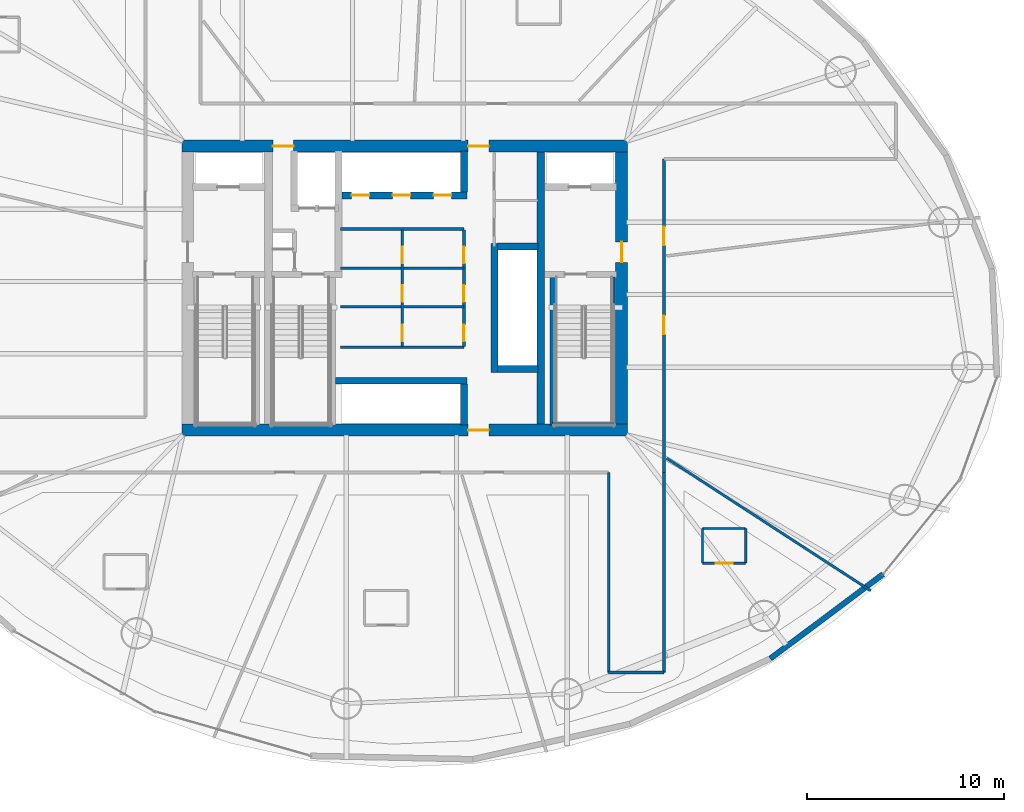
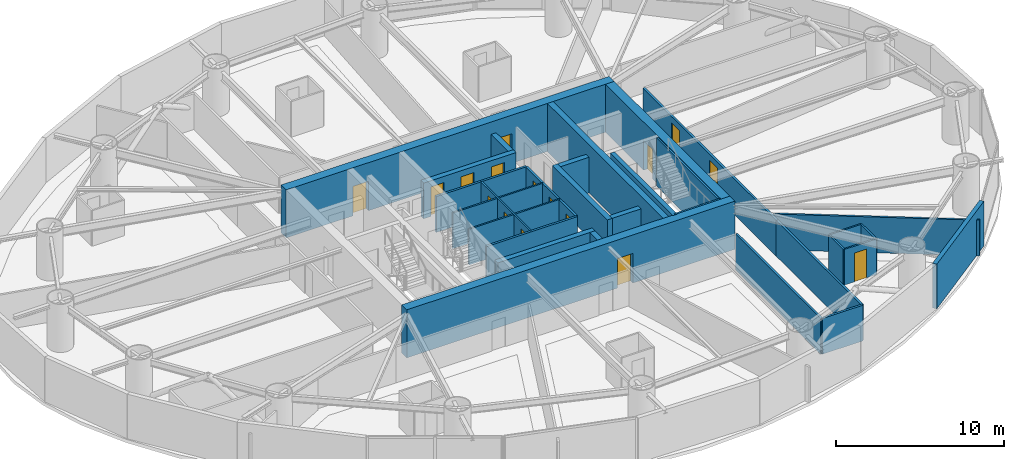
# One storey, part 17 of 23: 30 walls, 16 doors, 16 openings.
"""IFC4 building model written with IfcOpenShell, lengths in metres."""

from ifc_helpers import new_model, si_unit, direction, frame, frame_2d, origin, place, context, subcontext, project, spatial, rectangle, extrude, material, layer, layer_set, type_object, element, fill, save


model = new_model("IFC4")

# Units and contexts
model_context = context("Model", 3, precision=1e-05, world=origin(), true_north=direction((0.0, 1.0)))
body_context = subcontext(model_context, "Body", "Model", "MODEL_VIEW")
ifc_project = project(units=[si_unit("LENGTHUNIT", "METRE"), si_unit("AREAUNIT", "SQUARE_METRE"), si_unit("VOLUMEUNIT", "CUBIC_METRE"), si_unit("PLANEANGLEUNIT", "RADIAN"), si_unit("MASSUNIT", "GRAM", prefix="KILO")], contexts=[model_context])

# Site, building, storey
site_placement = place(None, origin())
site = spatial("IfcSite", under=ifc_project, at=site_placement, CompositionType="ELEMENT")
building_placement = place(site_placement, origin())
building = spatial("IfcBuilding", under=site, at=building_placement, Name="Bramvorn Convention Spire", CompositionType="ELEMENT")
storey_placement = place(building_placement, frame((0.0, 0.0, 69.39990234375)))
storey = spatial("IfcBuildingStorey", under=building, at=storey_placement, Name="L15", CompositionType="ELEMENT", Elevation=69.39990234375)

# Wall, opening, door
ifc_material_1 = material(Name="Concrete C60/70", Category="concrete")
ifc_layer_1 = layer(ifc_material_1, 0.60009765625)
ifc_layer_set_1 = layer_set([ifc_layer_1], Name="Concrete C60/70 - WL-CORE-600")
wall_type_1 = type_object("IfcWallType", Name="WL-CORE-600", PredefinedType="SHEAR", material=ifc_layer_set_1)
wall_1_placement = place(storey_placement, frame((26.699951171875, 18.800048828125, 0.0), z_axis=(0.0, 0.0, 1.0), x_axis=(1.0, 0.0, 0.0)))
wall_1 = element("IfcWall", 1, at=wall_1_placement, inside=storey, type_object=wall_type_1, Name="L15 South RC core shear wall", PredefinedType="SHEAR", context=body_context, shape_type="SweptSolid", body=[
    extrude(rectangle(XDim=22.60009765625, YDim=0.60009765625, at=frame_2d((11.300048828125, 0.0))), origin(), (0.0, 0.0, 1.0), 3.5),
])
opening_1_placement = place(wall_1_placement, frame((14.52001953125, 0.0, 0.0)))
opening_1 = element("IfcOpeningElement", 2, at=opening_1_placement, cuts=wall_1, Name="Opening DL-105", PredefinedType="OPENING", context=body_context, shape_type="SweptSolid", body=[
    extrude(rectangle(XDim=1.050048828125, YDim=2.14990234375, at=frame_2d((0.52490234375, 1.074951171875))), frame((0.0, 0.31005859375, 0.0), z_axis=(0.0, -1.0, 0.0), x_axis=(1.0, 0.0, 0.0)), (0.0, 0.0, 1.0), 0.6201171875),
])
ifc_material_2 = material(Name="Smoke-Sealed Fire Lobby Timber-Core Door", Category="wood")
door_type_1 = type_object("IfcDoorType", Name="DR-LOBBY-1050", OperationType="NOTDEFINED", PredefinedType="DOOR", material=ifc_material_2)
door_1_placement = place(opening_1_placement, origin())
door_1 = element("IfcDoor", 3, at=door_1_placement, inside=storey, type_object=door_type_1, Name="L15 South Lift Lobby fire door", OperationType="SINGLE_SWING_RIGHT", OverallHeight=2.14990234375, OverallWidth=1.050048828125, PredefinedType="DOOR", context=body_context, shape_type="SweptSolid", body=[
    extrude(rectangle(XDim=1.050048828125, YDim=2.14990234375, at=frame_2d((0.52490234375, 1.074951171875))), frame((0.0, 0.02490234375, 0.0), z_axis=(0.0, -1.0, 0.0), x_axis=(1.0, 0.0, 0.0)), (0.0, 0.0, 1.0), 0.050048828125),
])
fill(opening_1, door_1)

# Wall, openings, doors
wall_2_placement = place(storey_placement, frame((26.699951171875, 33.199951171875, 0.0), z_axis=(0.0, 0.0, 1.0), x_axis=(1.0, 0.0, 0.0)))
wall_2 = element("IfcWall", 4, at=wall_2_placement, inside=storey, type_object=wall_type_1, Name="L15 North RC core shear wall", PredefinedType="SHEAR", context=body_context, shape_type="SweptSolid", body=[
    extrude(rectangle(XDim=22.60009765625, YDim=0.60009765625, at=frame_2d((11.300048828125, 0.0))), origin(), (0.0, 0.0, 1.0), 3.5),
])
opening_2_placement = place(wall_2_placement, frame((4.6201171875, 0.0, 0.0)))
opening_2 = element("IfcOpeningElement", 5, at=opening_2_placement, cuts=wall_2, Name="Opening DL-105", PredefinedType="OPENING", context=body_context, shape_type="SweptSolid", body=[
    extrude(rectangle(XDim=1.050048828125, YDim=2.14990234375, at=frame_2d((0.52490234375, 1.074951171875))), frame((0.0, 0.31005859375, 0.0), z_axis=(0.0, -1.0, 0.0), x_axis=(1.0, 0.0, 0.0)), (0.0, 0.0, 1.0), 0.6201171875),
])
opening_3_placement = place(wall_2_placement, frame((14.52001953125, 0.0, 0.0)))
opening_3 = element("IfcOpeningElement", 6, at=opening_3_placement, cuts=wall_2, Name="Opening DL-105", PredefinedType="OPENING", context=body_context, shape_type="SweptSolid", body=[
    extrude(rectangle(XDim=1.050048828125, YDim=2.14990234375, at=frame_2d((0.52490234375, 1.074951171875))), frame((0.0, 0.31005859375, 0.0), z_axis=(0.0, -1.0, 0.0), x_axis=(1.0, 0.0, 0.0)), (0.0, 0.0, 1.0), 0.6201171875),
])
door_2_placement = place(opening_2_placement, origin())
door_2 = element("IfcDoor", 7, at=door_2_placement, inside=storey, type_object=door_type_1, Name="L15 Service & Stair ST3 Lobby north corridor door", OperationType="SINGLE_SWING_LEFT", OverallHeight=2.14990234375, OverallWidth=1.050048828125, PredefinedType="DOOR", context=body_context, shape_type="SweptSolid", body=[
    extrude(rectangle(XDim=1.050048828125, YDim=2.14990234375, at=frame_2d((0.52490234375, 1.074951171875))), frame((0.0, 0.02490234375, 0.0), z_axis=(0.0, -1.0, 0.0), x_axis=(1.0, 0.0, 0.0)), (0.0, 0.0, 1.0), 0.050048828125),
])
fill(opening_2, door_2)
door_3_placement = place(opening_3_placement, origin())
door_3 = element("IfcDoor", 8, at=door_3_placement, inside=storey, type_object=door_type_1, Name="L15 North Lift Lobby fire door", OperationType="SINGLE_SWING_LEFT", OverallHeight=2.14990234375, OverallWidth=1.050048828125, PredefinedType="DOOR", context=body_context, shape_type="SweptSolid", body=[
    extrude(rectangle(XDim=1.050048828125, YDim=2.14990234375, at=frame_2d((0.52490234375, 1.074951171875))), frame((0.0, 0.02490234375, 0.0), z_axis=(0.0, -1.0, 0.0), x_axis=(1.0, 0.0, 0.0)), (0.0, 0.0, 1.0), 0.050048828125),
])
fill(opening_3, door_3)

# Wall, opening, door
wall_3_placement = place(storey_placement, frame((49.0, 19.10009765625, 0.0), z_axis=(0.0, 0.0, 1.0), x_axis=(0.0, 1.0, 0.0)))
wall_3 = element("IfcWall", 9, at=wall_3_placement, inside=storey, type_object=wall_type_1, Name="L15 East RC core shear wall", PredefinedType="SHEAR", context=body_context, shape_type="SweptSolid", body=[
    extrude(rectangle(XDim=13.7998046875, YDim=0.60009765625, at=frame_2d((6.89990234375, 0.0))), origin(), (0.0, 0.0, 1.0), 3.5),
])
opening_4_placement = place(wall_3_placement, frame((8.199951171875, 0.0, 0.0)))
opening_4 = element("IfcOpeningElement", 10, at=opening_4_placement, cuts=wall_3, Name="Opening DL-105", PredefinedType="OPENING", context=body_context, shape_type="SweptSolid", body=[
    extrude(rectangle(XDim=1.050048828125, YDim=2.14990234375, at=frame_2d((0.52490234375, 1.074951171875))), frame((0.0, 0.31005859375, 0.0), z_axis=(0.0, -1.0, 0.0), x_axis=(1.0, 0.0, 0.0)), (0.0, 0.0, 1.0), 0.6201171875),
])
door_4_placement = place(opening_4_placement, origin())
door_4 = element("IfcDoor", 11, at=door_4_placement, inside=storey, type_object=door_type_1, Name="L15 East Firefighting Lobby corridor door", OperationType="SINGLE_SWING_LEFT", OverallHeight=2.14990234375, OverallWidth=1.050048828125, PredefinedType="DOOR", context=body_context, shape_type="SweptSolid", body=[
    extrude(rectangle(XDim=1.050048828125, YDim=2.14990234375, at=frame_2d((0.52490234375, 1.074951171875))), frame((0.0, 0.02490234375, 0.0), z_axis=(0.0, -1.0, 0.0), x_axis=(1.0, 0.0, 0.0)), (0.0, 0.0, 1.0), 0.050048828125),
])
fill(opening_4, door_4)

# Walls
ifc_material_3 = material(Name="Concrete C50/60", Category="concrete")
ifc_layer_2 = layer(ifc_material_3, 0.35009765625)
ifc_layer_set_2 = layer_set([ifc_layer_2], Name="Concrete C50/60 - WL-CORE-INT-350")
wall_type_2 = type_object("IfcWallType", Name="WL-CORE-INT-350", PredefinedType="SHEAR", material=ifc_layer_set_2)
wall_4_placement = place(storey_placement, frame((42.550048828125, 21.72998046875, 0.0), z_axis=(0.0, 0.0, 1.0), x_axis=(0.0, 1.0, 0.0)))
element("IfcWall", 12, at=wall_4_placement, inside=storey, type_object=wall_type_2, Name="L15 High-rise lift bank west wall", PredefinedType="SHEAR", context=body_context, shape_type="SweptSolid", body=[
    extrude(rectangle(XDim=6.5400390625, YDim=0.35009765625, at=frame_2d((3.27001953125, 0.0))), origin(), (0.0, 0.0, 1.0), 2.60009765625),
])
for number, where, z_axis, x_axis, name in (
    (13, (42.719970703125, 21.89990234375, 0.0), (0.0, 0.0, 1.0), (1.0, 0.0, 0.0), "L15 High-rise lift bank south wall"),
    (14, (42.719970703125, 28.10009765625, 0.0), (0.0, 0.0, 1.0), (1.0, 0.0, 0.0), "L15 High-rise lift bank north wall"),
):
    element("IfcWall", number, at=place(storey_placement, frame(where, z_axis=z_axis, x_axis=x_axis)), inside=storey, type_object=wall_type_2, Name=name, PredefinedType="SHEAR", context=body_context, shape_type="SweptSolid", body=[
        extrude(rectangle(XDim=2.030029296875, YDim=0.35009765625, at=frame_2d((1.01513671875, 0.0))), origin(), (0.0, 0.0, 1.0), 2.60009765625),
    ])

# Wall, openings, doors
wall_5_placement = place(storey_placement, frame((34.81005859375, 30.699951171875, 0.0), z_axis=(0.0, 0.0, 1.0), x_axis=(1.0, 0.0, 0.0)))
wall_5 = element("IfcWall", 15, at=wall_5_placement, inside=storey, type_object=wall_type_2, Name="L15 Low-rise bank south landing wall", PredefinedType="SHEAR", context=body_context, shape_type="SweptSolid", body=[
    extrude(rectangle(XDim=6.35986328125, YDim=0.35009765625, at=frame_2d((3.179931640625, 0.0))), origin(), (0.0, 0.0, 1.0), 2.60009765625),
])
opening_5_placement = place(wall_5_placement, frame((0.5, 0.0, 0.0)))
opening_5 = element("IfcOpeningElement", 16, at=opening_5_placement, cuts=wall_5, Name="Opening LD-090", PredefinedType="OPENING", context=body_context, shape_type="SweptSolid", body=[
    extrude(rectangle(XDim=0.89990234375, YDim=2.14990234375, at=frame_2d((0.449951171875, 1.074951171875))), frame((0.0, 0.18505859375, 0.0), z_axis=(0.0, -1.0, 0.0), x_axis=(1.0, 0.0, 0.0)), (0.0, 0.0, 1.0), 0.3701171875),
])
opening_6_placement = place(wall_5_placement, frame((2.580078125, 0.0, 0.0)))
opening_6 = element("IfcOpeningElement", 17, at=opening_6_placement, cuts=wall_5, Name="Opening LD-090", PredefinedType="OPENING", context=body_context, shape_type="SweptSolid", body=[
    extrude(rectangle(XDim=0.89990234375, YDim=2.14990234375, at=frame_2d((0.449951171875, 1.074951171875))), frame((0.0, 0.18505859375, 0.0), z_axis=(0.0, -1.0, 0.0), x_axis=(1.0, 0.0, 0.0)), (0.0, 0.0, 1.0), 0.3701171875),
])
opening_7_placement = place(wall_5_placement, frame((4.659912109375, 0.0, 0.0)))
opening_7 = element("IfcOpeningElement", 18, at=opening_7_placement, cuts=wall_5, Name="Opening LD-090", PredefinedType="OPENING", context=body_context, shape_type="SweptSolid", body=[
    extrude(rectangle(XDim=0.89990234375, YDim=2.14990234375, at=frame_2d((0.449951171875, 1.074951171875))), frame((0.0, 0.18505859375, 0.0), z_axis=(0.0, -1.0, 0.0), x_axis=(1.0, 0.0, 0.0)), (0.0, 0.0, 1.0), 0.3701171875),
])
ifc_material_4 = material(Name="Bi-Parting Fire-Rated Lift Landing Door", Category="steel")
door_type_2 = type_object("IfcDoorType", Name="DR-LIFT-LD-900", OperationType="NOTDEFINED", PredefinedType="DOOR", material=ifc_material_4)
door_5_placement = place(opening_5_placement, origin())
door_5 = element("IfcDoor", 19, at=door_5_placement, inside=storey, type_object=door_type_2, Name="L15 Lift PL1 Sliding Landing Door", OperationType="SLIDING_TO_LEFT", OverallHeight=2.14990234375, OverallWidth=0.89990234375, PredefinedType="DOOR", context=body_context, shape_type="SweptSolid", body=[
    extrude(rectangle(XDim=0.89990234375, YDim=2.14990234375, at=frame_2d((0.449951171875, 1.074951171875))), frame((0.0, 0.02490234375, 0.0), z_axis=(0.0, -1.0, 0.0), x_axis=(1.0, 0.0, 0.0)), (0.0, 0.0, 1.0), 0.050048828125),
])
fill(opening_5, door_5)
door_6_placement = place(opening_6_placement, origin())
door_6 = element("IfcDoor", 20, at=door_6_placement, inside=storey, type_object=door_type_2, Name="L15 Lift PL2 Sliding Landing Door", OperationType="SLIDING_TO_LEFT", OverallHeight=2.14990234375, OverallWidth=0.89990234375, PredefinedType="DOOR", context=body_context, shape_type="SweptSolid", body=[
    extrude(rectangle(XDim=0.89990234375, YDim=2.14990234375, at=frame_2d((0.449951171875, 1.074951171875))), frame((0.0, 0.02490234375, 0.0), z_axis=(0.0, -1.0, 0.0), x_axis=(1.0, 0.0, 0.0)), (0.0, 0.0, 1.0), 0.050048828125),
])
fill(opening_6, door_6)
door_7_placement = place(opening_7_placement, origin())
door_7 = element("IfcDoor", 21, at=door_7_placement, inside=storey, type_object=door_type_2, Name="L15 Lift PL3 Sliding Landing Door", OperationType="SLIDING_TO_LEFT", OverallHeight=2.14990234375, OverallWidth=0.89990234375, PredefinedType="DOOR", context=body_context, shape_type="SweptSolid", body=[
    extrude(rectangle(XDim=0.89990234375, YDim=2.14990234375, at=frame_2d((0.449951171875, 1.074951171875))), frame((0.0, 0.02490234375, 0.0), z_axis=(0.0, -1.0, 0.0), x_axis=(1.0, 0.0, 0.0)), (0.0, 0.0, 1.0), 0.050048828125),
])
fill(opening_7, door_7)

# Walls
wall_6_placement = place(storey_placement, frame((41.0, 30.8701171875, 0.0), z_axis=(0.0, 0.0, 1.0), x_axis=(0.0, 1.0, 0.0)))
element("IfcWall", 22, at=wall_6_placement, inside=storey, type_object=wall_type_2, Name="L15 Low-rise bank east cheek wall", PredefinedType="SHEAR", context=body_context, shape_type="SweptSolid", body=[
    extrude(rectangle(XDim=2.079833984375, YDim=0.35009765625, at=frame_2d((1.0400390625, 0.0))), origin(), (0.0, 0.0, 1.0), 2.60009765625),
])
wall_7_placement = place(storey_placement, frame((34.489990234375, 21.300048828125, 0.0), z_axis=(0.0, 0.0, 1.0), x_axis=(1.0, 0.0, 0.0)))
element("IfcWall", 23, at=wall_7_placement, inside=storey, type_object=wall_type_2, Name="L15 Mid-rise bank north landing wall", PredefinedType="SHEAR", context=body_context, shape_type="SweptSolid", body=[
    extrude(rectangle(XDim=6.679931640625, YDim=0.35009765625, at=frame_2d((3.33984375, 0.0))), origin(), (0.0, 0.0, 1.0), 2.60009765625),
])
wall_8_placement = place(storey_placement, frame((41.0, 19.050048828125, 0.0), z_axis=(0.0, 0.0, 1.0), x_axis=(0.0, 1.0, 0.0)))
element("IfcWall", 24, at=wall_8_placement, inside=storey, type_object=wall_type_2, Name="L15 Mid-rise bank east cheek wall", PredefinedType="SHEAR", context=body_context, shape_type="SweptSolid", body=[
    extrude(rectangle(XDim=2.079833984375, YDim=0.35009765625, at=frame_2d((1.0400390625, 0.0))), origin(), (0.0, 0.0, 1.0), 2.60009765625),
])
ifc_layer_3 = layer(ifc_material_1, 0.39990234375)
ifc_layer_set_3 = layer_set([ifc_layer_3], Name="Concrete C60/70 - WL-CORE-INT-400")
wall_type_3 = type_object("IfcWallType", Name="WL-CORE-INT-400", PredefinedType="SHEAR", material=ifc_layer_set_3)
wall_9_placement = place(storey_placement, frame((44.89990234375, 19.10009765625, 0.0), z_axis=(0.0, 0.0, 1.0), x_axis=(0.0, 1.0, 0.0)))
element("IfcWall", 25, at=wall_9_placement, inside=storey, type_object=wall_type_3, Name="L15 East internal core shear web", PredefinedType="SHEAR", context=body_context, shape_type="SweptSolid", body=[
    extrude(rectangle(XDim=13.7998046875, YDim=0.39990234375, at=frame_2d((6.89990234375, 0.0))), origin(), (0.0, 0.0, 1.0), 3.5),
])
ifc_material_5 = material(Name="Precast Concrete C40/50 with Bronze Terracotta Rainscreen", Category="masonry")
ifc_layer_4 = layer(ifc_material_5, 0.300048828125)
ifc_layer_set_4 = layer_set([ifc_layer_4], Name="Precast Concrete C40/50 with Bronze Terracotta Rainscreen - WL-EXT-BRONZE-300")
wall_type_4 = type_object("IfcWallType", Name="WL-EXT-BRONZE-300", PredefinedType="SOLIDWALL", material=ifc_layer_set_4)
wall_10_placement = place(storey_placement, frame((62.261474609375, 11.4892578125, 0.0), z_axis=(0.0, 0.0, 1.0), x_axis=(-0.800594336171, -0.599206733015, 0.0)))
element("IfcWall", 26, at=wall_10_placement, inside=storey, type_object=wall_type_4, Name="L15 expressed bronze Gothic lancet pier wall 22", PredefinedType="SOLIDWALL", context=body_context, shape_type="SweptSolid", body=[
    extrude(rectangle(XDim=7.142822265625, YDim=0.280029296875, at=frame_2d((3.5712890625, 0.0))), origin(), (0.0, 0.0, 1.0), 3.25),
])

# Wall, openings, doors
ifc_material_6 = material(Name="Lightweight En-Suite & Wet-Wall Partition", Category="gypsum")
ifc_layer_5 = layer(ifc_material_6, 0.110107421875)
ifc_layer_set_5 = layer_set([ifc_layer_5], Name="Lightweight En-Suite & Wet-Wall Partition - WL-PART-110")
wall_type_5 = type_object("IfcWallType", Name="WL-PART-110", PredefinedType="PARTITIONING", material=ifc_layer_set_5)
wall_11_placement = place(storey_placement, frame((37.8798828125, 23.050048828125, 0.0), z_axis=(0.0, 0.0, 1.0), x_axis=(0.0, 1.0, 0.0)))
wall_11 = element("IfcWall", 27, at=wall_11_placement, inside=storey, type_object=wall_type_5, Name="L15 KB center wall", PredefinedType="PARTITIONING", context=body_context, shape_type="SweptSolid", body=[
    extrude(rectangle(XDim=5.89990234375, YDim=0.110107421875, at=frame_2d((2.949951171875, 0.0))), origin(), (0.0, 0.0, 1.0), 2.60009765625),
])
opening_8_placement = place(wall_11_placement, frame((0.25, 0.0, 0.0)))
opening_8 = element("IfcOpeningElement", 28, at=opening_8_placement, cuts=wall_11, Name="Opening DC-085", PredefinedType="OPENING", context=body_context, shape_type="SweptSolid", body=[
    extrude(rectangle(XDim=0.85009765625, YDim=2.10009765625, at=frame_2d((0.425048828125, 1.050048828125))), frame((0.0, 0.06494140625, 0.0), z_axis=(0.0, -1.0, 0.0), x_axis=(1.0, 0.0, 0.0)), (0.0, 0.0, 1.0), 0.130126953125),
])
opening_9_placement = place(wall_11_placement, frame((2.256103515625, 0.0, 0.0)))
opening_9 = element("IfcOpeningElement", 29, at=opening_9_placement, cuts=wall_11, Name="Opening DC-085", PredefinedType="OPENING", context=body_context, shape_type="SweptSolid", body=[
    extrude(rectangle(XDim=0.85009765625, YDim=2.10009765625, at=frame_2d((0.425048828125, 1.050048828125))), frame((0.0, 0.06494140625, 0.0), z_axis=(0.0, -1.0, 0.0), x_axis=(1.0, 0.0, 0.0)), (0.0, 0.0, 1.0), 0.130126953125),
])
opening_10_placement = place(wall_11_placement, frame((4.202880859375, 0.0, 0.0)))
opening_10 = element("IfcOpeningElement", 30, at=opening_10_placement, cuts=wall_11, Name="Opening DC-085", PredefinedType="OPENING", context=body_context, shape_type="SweptSolid", body=[
    extrude(rectangle(XDim=0.85009765625, YDim=2.10009765625, at=frame_2d((0.425048828125, 1.050048828125))), frame((0.0, 0.06494140625, 0.0), z_axis=(0.0, -1.0, 0.0), x_axis=(1.0, 0.0, 0.0)), (0.0, 0.0, 1.0), 0.130126953125),
])
ifc_material_7 = material(Name="Fire-Rated Core Washroom & IDF Door", Category="wood")
door_type_3 = type_object("IfcDoorType", Name="DR-CORE-850", OperationType="NOTDEFINED", PredefinedType="DOOR", material=ifc_material_7)
door_8_placement = place(opening_8_placement, origin())
door_8 = element("IfcDoor", 31, at=door_8_placement, inside=storey, type_object=door_type_3, Name="L15 Core Linen Store door", OperationType="SINGLE_SWING_LEFT", OverallHeight=2.10009765625, OverallWidth=0.85009765625, PredefinedType="DOOR", context=body_context, shape_type="SweptSolid", body=[
    extrude(rectangle(XDim=0.85009765625, YDim=2.10009765625, at=frame_2d((0.425048828125, 1.050048828125))), frame((0.0, 0.02490234375, 0.0), z_axis=(0.0, -1.0, 0.0), x_axis=(1.0, 0.0, 0.0)), (0.0, 0.0, 1.0), 0.050048828125),
])
fill(opening_8, door_8)
door_9_placement = place(opening_9_placement, origin())
door_9 = element("IfcDoor", 32, at=door_9_placement, inside=storey, type_object=door_type_3, Name="L15 Core Metering Closet door", OperationType="SINGLE_SWING_LEFT", OverallHeight=2.10009765625, OverallWidth=0.85009765625, PredefinedType="DOOR", context=body_context, shape_type="SweptSolid", body=[
    extrude(rectangle(XDim=0.85009765625, YDim=2.10009765625, at=frame_2d((0.425048828125, 1.050048828125))), frame((0.0, 0.02490234375, 0.0), z_axis=(0.0, -1.0, 0.0), x_axis=(1.0, 0.0, 0.0)), (0.0, 0.0, 1.0), 0.050048828125),
])
fill(opening_9, door_9)
door_10_placement = place(opening_10_placement, origin())
door_10 = element("IfcDoor", 33, at=door_10_placement, inside=storey, type_object=door_type_3, Name="L15 Core Janitor Supply door", OperationType="SINGLE_SWING_LEFT", OverallHeight=2.10009765625, OverallWidth=0.85009765625, PredefinedType="DOOR", context=body_context, shape_type="SweptSolid", body=[
    extrude(rectangle(XDim=0.85009765625, YDim=2.10009765625, at=frame_2d((0.425048828125, 1.050048828125))), frame((0.0, 0.02490234375, 0.0), z_axis=(0.0, -1.0, 0.0), x_axis=(1.0, 0.0, 0.0)), (0.0, 0.0, 1.0), 0.050048828125),
])
fill(opening_10, door_10)

# Walls
for number, where, z_axis, x_axis, name in (
    (34, (34.75, 25.055908203125, 0.0), (0.0, 0.0, 1.0), (1.0, 0.0, 0.0), "L15 KB divider 1"),
    (35, (34.75, 27.0029296875, 0.0), (0.0, 0.0, 1.0), (1.0, 0.0, 0.0), "L15 KB divider 2"),
):
    element("IfcWall", number, at=place(storey_placement, frame(where, z_axis=z_axis, x_axis=x_axis)), inside=storey, type_object=wall_type_5, Name=name, PredefinedType="PARTITIONING", context=body_context, shape_type="SweptSolid", body=[
        extrude(rectangle(XDim=6.25, YDim=0.110107421875, at=frame_2d((3.125, 0.0))), origin(), (0.0, 0.0, 1.0), 2.60009765625),
    ])

# Wall, opening, door
wall_12_placement = place(storey_placement, frame((53.0966796875, 12.04931640625, 0.0), z_axis=(0.0, 0.0, 1.0), x_axis=(1.0, 0.0, 0.0)))
wall_12 = element("IfcWall", 36, at=wall_12_placement, inside=storey, type_object=wall_type_5, Name="Hotel Suite 1508 en-suite south wall", PredefinedType="PARTITIONING", context=body_context, shape_type="SweptSolid", body=[
    extrude(rectangle(XDim=2.2001953125, YDim=0.110107421875, at=frame_2d((1.10009765625, 0.0))), origin(), (0.0, 0.0, 1.0), 2.60009765625),
])
opening_11_placement = place(wall_12_placement, frame((0.679931640625, 0.0, 0.0)))
opening_11 = element("IfcOpeningElement", 37, at=opening_11_placement, cuts=wall_12, Name="Opening DI-085", PredefinedType="OPENING", context=body_context, shape_type="SweptSolid", body=[
    extrude(rectangle(XDim=0.85009765625, YDim=2.10009765625, at=frame_2d((0.425048828125, 1.050048828125))), frame((0.0, 0.06494140625, 0.0), z_axis=(0.0, -1.0, 0.0), x_axis=(1.0, 0.0, 0.0)), (0.0, 0.0, 1.0), 0.130126953125),
])
ifc_material_8 = material(Name="En-Suite & Restroom Privacy Door", Category="wood")
door_type_4 = type_object("IfcDoorType", Name="DR-INT-850", OperationType="NOTDEFINED", PredefinedType="DOOR", material=ifc_material_8)
door_11_placement = place(opening_11_placement, origin())
door_11 = element("IfcDoor", 38, at=door_11_placement, inside=storey, type_object=door_type_4, Name="Hotel Suite 1508 En-Suite Bathroom door", OperationType="SINGLE_SWING_LEFT", OverallHeight=2.10009765625, OverallWidth=0.85009765625, PredefinedType="DOOR", context=body_context, shape_type="SweptSolid", body=[
    extrude(rectangle(XDim=0.85009765625, YDim=2.10009765625, at=frame_2d((0.425048828125, 1.050048828125))), frame((0.0, 0.02490234375, 0.0), z_axis=(0.0, -1.0, 0.0), x_axis=(1.0, 0.0, 0.0)), (0.0, 0.0, 1.0), 0.050048828125),
])
fill(opening_11, door_11)

# Walls
wall_13_placement = place(storey_placement, frame((53.0966796875, 13.809326171875, 0.0), z_axis=(0.0, 0.0, 1.0), x_axis=(1.0, 0.0, 0.0)))
element("IfcWall", 39, at=wall_13_placement, inside=storey, type_object=wall_type_5, Name="Hotel Suite 1508 en-suite north wall", PredefinedType="PARTITIONING", context=body_context, shape_type="SweptSolid", body=[
    extrude(rectangle(XDim=2.2001953125, YDim=0.110107421875, at=frame_2d((1.10009765625, 0.0))), origin(), (0.0, 0.0, 1.0), 2.60009765625),
])
for number, where, z_axis, x_axis, name in (
    (40, (53.0966796875, 12.04931640625, 0.0), (0.0, 0.0, 1.0), (0.0, 1.0, 0.0), "Hotel Suite 1508 en-suite west wall"),
    (41, (55.296875, 12.04931640625, 0.0), (0.0, 0.0, 1.0), (0.0, 1.0, 0.0), "Hotel Suite 1508 en-suite east wall"),
):
    element("IfcWall", number, at=place(storey_placement, frame(where, z_axis=z_axis, x_axis=x_axis)), inside=storey, type_object=wall_type_5, Name=name, PredefinedType="PARTITIONING", context=body_context, shape_type="SweptSolid", body=[
        extrude(rectangle(XDim=1.760009765625, YDim=0.110107421875, at=frame_2d((0.8798828125, 0.0))), origin(), (0.0, 0.0, 1.0), 2.60009765625),
    ])
ifc_material_9 = material(Name="Metal-Stud Demountable Office Partition", Category="gypsum")
ifc_layer_6 = layer(ifc_material_9, 0.1298828125)
ifc_layer_set_6 = layer_set([ifc_layer_6], Name="Metal-Stud Demountable Office Partition - WL-PART-130")
wall_type_6 = type_object("IfcWallType", Name="WL-PART-130", PredefinedType="PARTITIONING", material=ifc_layer_set_6)
wall_14_placement = place(storey_placement, frame((51.2900390625, 17.369384765625, 0.0), z_axis=(0.0, 0.0, 1.0), x_axis=(0.838662335308, -0.544651711955, 0.0)))
element("IfcWall", 42, at=wall_14_placement, inside=storey, type_object=wall_type_6, Name="L15 Guestroom demising wall 9", PredefinedType="PARTITIONING", context=body_context, shape_type="SweptSolid", body=[
    extrude(rectangle(XDim=12.33935546875, YDim=0.1298828125, at=frame_2d((6.169677734375, 0.0))), origin(), (0.0, 0.0, 1.0), 2.60009765625),
])
ifc_material_10 = material(Name="Acoustic Metal-Stud Tenant/Corridor Partition", Category="gypsum")
ifc_layer_7 = layer(ifc_material_10, 0.14990234375)
ifc_layer_set_7 = layer_set([ifc_layer_7], Name="Acoustic Metal-Stud Tenant/Corridor Partition - WL-PART-150")
wall_type_7 = type_object("IfcWallType", Name="WL-PART-150", PredefinedType="PARTITIONING", material=ifc_layer_set_7)
for number, where, z_axis, x_axis, name in (
    (43, (34.75, 29.0, 0.0), (0.0, 0.0, 1.0), (1.0, 0.0, 0.0), "L15 Low-rise lift vestibule south wall"),
    (44, (34.75, 23.0, 0.0), (0.0, 0.0, 1.0), (1.0, 0.0, 0.0), "L15 Mid-rise lift vestibule north wall"),
):
    element("IfcWall", number, at=place(storey_placement, frame(where, z_axis=z_axis, x_axis=x_axis)), inside=storey, type_object=wall_type_7, Name=name, PredefinedType="PARTITIONING", context=body_context, shape_type="SweptSolid", body=[
        extrude(rectangle(XDim=6.25, YDim=0.14990234375, at=frame_2d((3.125, 0.0))), origin(), (0.0, 0.0, 1.0), 2.60009765625),
    ])

# Wall, openings, doors
wall_15_placement = place(storey_placement, frame((41.0, 23.050048828125, 0.0), z_axis=(0.0, 0.0, 1.0), x_axis=(0.0, 1.0, 0.0)))
wall_15 = element("IfcWall", 45, at=wall_15_placement, inside=storey, type_object=wall_type_7, Name="L15 KB east core wall", PredefinedType="PARTITIONING", context=body_context, shape_type="SweptSolid", body=[
    extrude(rectangle(XDim=5.89990234375, YDim=0.14990234375, at=frame_2d((2.949951171875, 0.0))), origin(), (0.0, 0.0, 1.0), 2.60009765625),
])
opening_12_placement = place(wall_15_placement, frame((0.25, 0.0, 0.0)))
opening_12 = element("IfcOpeningElement", 46, at=opening_12_placement, cuts=wall_15, Name="Opening DC-085", PredefinedType="OPENING", context=body_context, shape_type="SweptSolid", body=[
    extrude(rectangle(XDim=0.85009765625, YDim=2.10009765625, at=frame_2d((0.425048828125, 1.050048828125))), frame((0.0, 0.0849609375, 0.0), z_axis=(0.0, -1.0, 0.0), x_axis=(1.0, 0.0, 0.0)), (0.0, 0.0, 1.0), 0.169921875),
])
opening_13_placement = place(wall_15_placement, frame((2.256103515625, 0.0, 0.0)))
opening_13 = element("IfcOpeningElement", 47, at=opening_13_placement, cuts=wall_15, Name="Opening DC-085", PredefinedType="OPENING", context=body_context, shape_type="SweptSolid", body=[
    extrude(rectangle(XDim=0.85009765625, YDim=2.10009765625, at=frame_2d((0.425048828125, 1.050048828125))), frame((0.0, 0.0849609375, 0.0), z_axis=(0.0, -1.0, 0.0), x_axis=(1.0, 0.0, 0.0)), (0.0, 0.0, 1.0), 0.169921875),
])
opening_14_placement = place(wall_15_placement, frame((4.202880859375, 0.0, 0.0)))
opening_14 = element("IfcOpeningElement", 48, at=opening_14_placement, cuts=wall_15, Name="Opening DC-085", PredefinedType="OPENING", context=body_context, shape_type="SweptSolid", body=[
    extrude(rectangle(XDim=0.85009765625, YDim=2.10009765625, at=frame_2d((0.425048828125, 1.050048828125))), frame((0.0, 0.0849609375, 0.0), z_axis=(0.0, -1.0, 0.0), x_axis=(1.0, 0.0, 0.0)), (0.0, 0.0, 1.0), 0.169921875),
])
door_12_placement = place(opening_12_placement, origin())
door_12 = element("IfcDoor", 49, at=door_12_placement, inside=storey, type_object=door_type_3, Name="L15 Accessible Core Restroom door", OperationType="SINGLE_SWING_LEFT", OverallHeight=2.10009765625, OverallWidth=0.85009765625, PredefinedType="DOOR", context=body_context, shape_type="SweptSolid", body=[
    extrude(rectangle(XDim=0.85009765625, YDim=2.10009765625, at=frame_2d((0.425048828125, 1.050048828125))), frame((0.0, 0.02490234375, 0.0), z_axis=(0.0, -1.0, 0.0), x_axis=(1.0, 0.0, 0.0)), (0.0, 0.0, 1.0), 0.050048828125),
])
fill(opening_12, door_12)
door_13_placement = place(opening_13_placement, origin())
door_13 = element("IfcDoor", 50, at=door_13_placement, inside=storey, type_object=door_type_3, Name="L15 Floor Housekeeping & Linen Store door", OperationType="SINGLE_SWING_LEFT", OverallHeight=2.10009765625, OverallWidth=0.85009765625, PredefinedType="DOOR", context=body_context, shape_type="SweptSolid", body=[
    extrude(rectangle(XDim=0.85009765625, YDim=2.10009765625, at=frame_2d((0.425048828125, 1.050048828125))), frame((0.0, 0.02490234375, 0.0), z_axis=(0.0, -1.0, 0.0), x_axis=(1.0, 0.0, 0.0)), (0.0, 0.0, 1.0), 0.050048828125),
])
fill(opening_13, door_13)
door_14_placement = place(opening_14_placement, origin())
door_14 = element("IfcDoor", 51, at=door_14_placement, inside=storey, type_object=door_type_3, Name="L15 Gender-Neutral Core WC door", OperationType="SINGLE_SWING_LEFT", OverallHeight=2.10009765625, OverallWidth=0.85009765625, PredefinedType="DOOR", context=body_context, shape_type="SweptSolid", body=[
    extrude(rectangle(XDim=0.85009765625, YDim=2.10009765625, at=frame_2d((0.425048828125, 1.050048828125))), frame((0.0, 0.02490234375, 0.0), z_axis=(0.0, -1.0, 0.0), x_axis=(1.0, 0.0, 0.0)), (0.0, 0.0, 1.0), 0.050048828125),
])
fill(opening_14, door_14)

wall_16_placement = place(storey_placement, frame((51.14990234375, 16.64990234375, 0.0), z_axis=(0.0, 0.0, 1.0), x_axis=(0.0, 1.0, 0.0)))
wall_16 = element("IfcWall", 52, at=wall_16_placement, inside=storey, type_object=wall_type_7, Name="L15 East ring corridor wall", PredefinedType="PARTITIONING", context=body_context, shape_type="SweptSolid", body=[
    extrude(rectangle(XDim=15.900146484375, YDim=0.14990234375, at=frame_2d((7.9501953125, 0.0))), origin(), (0.0, 0.0, 1.0), 2.60009765625),
])
opening_15_placement = place(wall_16_placement, frame((11.51220703125, 0.0, 0.0)))
opening_15 = element("IfcOpeningElement", 53, at=opening_15_placement, cuts=wall_16, Name="Opening DH-095", PredefinedType="OPENING", context=body_context, shape_type="SweptSolid", body=[
    extrude(rectangle(XDim=0.949951171875, YDim=2.14990234375, at=frame_2d((0.47509765625, 1.074951171875))), frame((0.0, 0.0849609375, 0.0), z_axis=(0.0, -1.0, 0.0), x_axis=(1.0, 0.0, 0.0)), (0.0, 0.0, 1.0), 0.169921875),
])
opening_16_placement = place(wall_16_placement, frame((7.004150390625, 0.0, 0.0)))
opening_16 = element("IfcOpeningElement", 54, at=opening_16_placement, cuts=wall_16, Name="Opening DH-095", PredefinedType="OPENING", context=body_context, shape_type="SweptSolid", body=[
    extrude(rectangle(XDim=0.949951171875, YDim=2.14990234375, at=frame_2d((0.47509765625, 1.074951171875))), frame((0.0, 0.0849609375, 0.0), z_axis=(0.0, -1.0, 0.0), x_axis=(1.0, 0.0, 0.0)), (0.0, 0.0, 1.0), 0.169921875),
])
ifc_material_11 = material(Name="Solid-Core Acoustic Guestroom Entry Door", Category="wood")
door_type_5 = type_object("IfcDoorType", Name="DR-HOTEL-950", OperationType="NOTDEFINED", PredefinedType="DOOR", material=ifc_material_11)
door_15_placement = place(opening_15_placement, origin())
door_15 = element("IfcDoor", 55, at=door_15_placement, inside=storey, type_object=door_type_5, Name="L15 Hospitality Lounge 1 door", OperationType="SINGLE_SWING_LEFT", OverallHeight=2.14990234375, OverallWidth=0.949951171875, PredefinedType="DOOR", context=body_context, shape_type="SweptSolid", body=[
    extrude(rectangle(XDim=0.949951171875, YDim=2.14990234375, at=frame_2d((0.47509765625, 1.074951171875))), frame((0.0, 0.02490234375, 0.0), z_axis=(0.0, -1.0, 0.0), x_axis=(1.0, 0.0, 0.0)), (0.0, 0.0, 1.0), 0.050048828125),
])
fill(opening_15, door_15)
door_16_placement = place(opening_16_placement, origin())
door_16 = element("IfcDoor", 56, at=door_16_placement, inside=storey, type_object=door_type_5, Name="L15 Hospitality Salon 9 door", OperationType="SINGLE_SWING_RIGHT", OverallHeight=2.14990234375, OverallWidth=0.949951171875, PredefinedType="DOOR", context=body_context, shape_type="SweptSolid", body=[
    extrude(rectangle(XDim=0.949951171875, YDim=2.14990234375, at=frame_2d((0.47509765625, 1.074951171875))), frame((0.0, 0.02490234375, 0.0), z_axis=(0.0, -1.0, 0.0), x_axis=(1.0, 0.0, 0.0)), (0.0, 0.0, 1.0), 0.050048828125),
])
fill(opening_16, door_16)

# Walls
for number, where, z_axis, x_axis, name in (
    (57, (48.35009765625, 6.5, 0.0), (0.0, 0.0, 1.0), (0.0, 1.0, 0.0), "L15 SE pinwheel wing west wall"),
    (58, (51.14990234375, 6.5, 0.0), (0.0, 0.0, 1.0), (0.0, 1.0, 0.0), "L15 SE pinwheel wing east wall"),
):
    element("IfcWall", number, at=place(storey_placement, frame(where, z_axis=z_axis, x_axis=x_axis)), inside=storey, type_object=wall_type_7, Name=name, PredefinedType="PARTITIONING", context=body_context, shape_type="SweptSolid", body=[
        extrude(rectangle(XDim=10.14990234375, YDim=0.14990234375, at=frame_2d((5.074951171875, 0.0))), origin(), (0.0, 0.0, 1.0), 2.60009765625),
    ])
wall_17_placement = place(storey_placement, frame((48.35009765625, 6.5, 0.0), z_axis=(0.0, 0.0, 1.0), x_axis=(1.0, 0.0, 0.0)))
element("IfcWall", 59, at=wall_17_placement, inside=storey, type_object=wall_type_7, Name="L15 SE pinwheel end wall", PredefinedType="PARTITIONING", context=body_context, shape_type="SweptSolid", body=[
    extrude(rectangle(XDim=2.7998046875, YDim=0.14990234375, at=frame_2d((1.39990234375, 0.0))), origin(), (0.0, 0.0, 1.0), 2.60009765625),
])
ifc_layer_8 = layer(ifc_material_3, 0.300048828125)
ifc_layer_set_8 = layer_set([ifc_layer_8], Name="Concrete C50/60 - WL-POD-STAIR-300")
wall_type_8 = type_object("IfcWallType", Name="WL-POD-STAIR-300", PredefinedType="SHEAR", material=ifc_layer_set_8)
wall_18_placement = place(storey_placement, frame((45.510009765625, 19.050048828125, 0.0), z_axis=(0.0, 0.0, 1.0), x_axis=(0.0, 1.0, 0.0)))
element("IfcWall", 60, at=wall_18_placement, inside=storey, type_object=wall_type_8, Name="L15 ST2 west bearing wall", PredefinedType="SHEAR", context=body_context, shape_type="SweptSolid", body=[
    extrude(rectangle(XDim=7.5, YDim=0.300048828125, at=frame_2d((3.75, 0.0))), origin(), (0.0, 0.0, 1.0), 3.5),
])
ifc_layer_9 = layer(ifc_material_3, 0.1201171875)
ifc_layer_set_9 = layer_set([ifc_layer_9], Name="Concrete C50/60 - WL-STAIR-RC-120")
wall_type_9 = type_object("IfcWallType", Name="WL-STAIR-RC-120", PredefinedType="SHEAR", material=ifc_layer_set_9)
wall_19_placement = place(storey_placement, frame((48.60498046875, 19.10009765625, 0.0), z_axis=(0.0, 0.0, 1.0), x_axis=(0.0, 1.0, 0.0)))
element("IfcWall", 61, at=wall_19_placement, inside=storey, type_object=wall_type_9, Name="L15 ST2 east bearing shear wall", PredefinedType="SHEAR", context=body_context, shape_type="SweptSolid", body=[
    extrude(rectangle(XDim=7.449951171875, YDim=0.1201171875, at=frame_2d((3.72509765625, 0.0))), origin(), (0.0, 0.0, 1.0), 3.5),
])
wall_20_placement = place(storey_placement, frame((45.510009765625, 19.159912109375, 0.0), z_axis=(0.0, 0.0, 1.0), x_axis=(1.0, 0.0, 0.0)))
element("IfcWall", 62, at=wall_20_placement, inside=storey, type_object=wall_type_9, Name="L15 ST2 south bearing shear wall", PredefinedType="SHEAR", context=body_context, shape_type="SweptSolid", body=[
    extrude(rectangle(XDim=3.094970703125, YDim=0.1201171875, at=frame_2d((1.54736328125, 0.0))), origin(), (0.0, 0.0, 1.0), 3.5),
])

save(model, "model.ifc")
